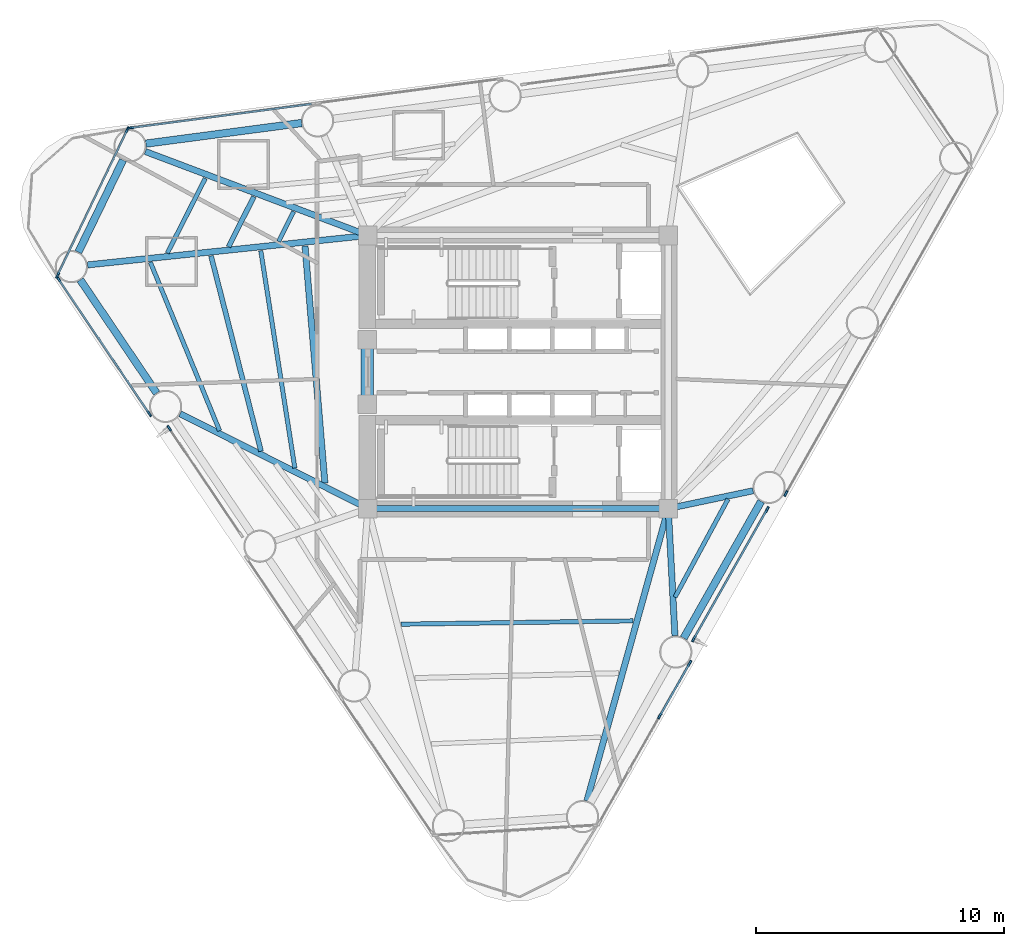
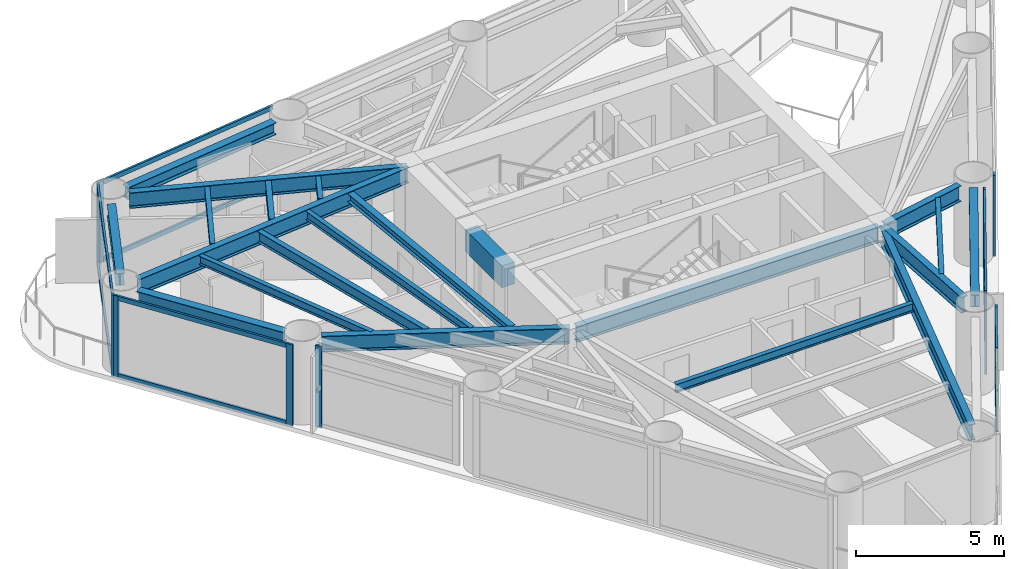
# One storey, part 2 of 9: 23 members, 21 beams, 7 elements without a shape of their own.
"""IFC4 building model written with IfcOpenShell, lengths in metres."""

import ifcopenshell
import ifcopenshell.guid

model = None  # the IFC model being written
_history = None  # IfcOwnerHistory: only IFC2X3 demands one
_inside = {}  # id of a spatial element -> (the spatial element, [elements in it])
_under = {}  # id of a project, library or spatial element -> (it, [spatial elements below it])
_declared = {}  # id of a project -> (the project, [libraries it declares])
_typed = {}  # id of a type object -> (the type object, [elements of that type])
_made_of = {}  # id of a material, layer set ... -> (it, [elements and type objects made of it])


def new_model(schema):
    """Start an empty IFC model of exactly this schema.

    Asked for "IFC4X3", IfcOpenShell would pick the latest addendum, in which some entities
    have other attributes; the version numbers below select the first issue.
    IFC2X3 requires an IfcOwnerHistory on every rooted entity: one is made here for all.
    """
    global model, _history
    if schema == "IFC4X3":
        model = ifcopenshell.file(schema_version=(4, 3, 0, 0))
    else:
        model = ifcopenshell.file(schema=schema)
    _inside.clear()
    _under.clear()
    _declared.clear()
    _typed.clear()
    _made_of.clear()
    _history = None
    if model.schema == "IFC2X3":
        org = make("IfcOrganization", Name="unknown")
        user = make(
            "IfcPersonAndOrganization",
            ThePerson=make("IfcPerson", FamilyName="unknown"),
            TheOrganization=org,
        )
        app = make(
            "IfcApplication",
            ApplicationDeveloper=org,
            Version="unknown",
            ApplicationFullName="unknown",
            ApplicationIdentifier="unknown",
        )
        _history = make(
            "IfcOwnerHistory",
            OwningUser=user,
            OwningApplication=app,
            ChangeAction="ADDED",
            CreationDate=0,
        )
    return model


def make(cls, **values):
    """One entity of the class cls with the attributes given. An attribute that is None is left unset."""
    return model.create_entity(
        cls, **{name: value for name, value in values.items() if value is not None}
    )


def rooted(cls, **values):
    """An entity with a GlobalId (a new one), such as an element, a storey or a relation."""
    return make(cls, GlobalId=ifcopenshell.guid.new(), OwnerHistory=_history, **values)


def si_unit(unit_type, name, prefix=None):
    """IfcSIUnit, for example si_unit("LENGTHUNIT", "METRE", prefix="MILLI")."""
    return make("IfcSIUnit", UnitType=unit_type, Prefix=prefix, Name=name)


def assignment(units):
    """IfcUnitAssignment: the units of a project."""
    return None if units is None else make("IfcUnitAssignment", Units=units)


def point(xyz):
    """IfcCartesianPoint."""
    return None if xyz is None else make("IfcCartesianPoint", Coordinates=xyz)


def direction(xyz):
    """IfcDirection."""
    return None if xyz is None else make("IfcDirection", DirectionRatios=xyz)


def frame(location, z_axis=None, x_axis=None):
    """IfcAxis2Placement3D, a coordinate frame: its origin and axes. An axis left out is left unset."""
    return make(
        "IfcAxis2Placement3D",
        Location=point(location),
        Axis=direction(z_axis),
        RefDirection=direction(x_axis),
    )


def frame_2d(location, x_axis=None):
    """IfcAxis2Placement2D, a coordinate frame in the plane: its origin and x axis."""
    return make(
        "IfcAxis2Placement2D", Location=point(location), RefDirection=direction(x_axis)
    )


def origin():
    """The frame at (0, 0, 0) with its axes left unset."""
    return frame((0.0, 0.0, 0.0))


def origin_2d():
    """The frame at (0, 0) in the plane with its x axis left unset."""
    return frame_2d((0.0, 0.0))


def place(relative_to, where):
    """IfcLocalPlacement: puts the frame where relative to a parent placement (None: the world)."""
    return make(
        "IfcLocalPlacement", PlacementRelTo=relative_to, RelativePlacement=where
    )


def context(
    kind, dimensions, precision=None, world=None, true_north=None, identifier=None
):
    """IfcGeometricRepresentationContext, for example the 3D "Model" context."""
    return make(
        "IfcGeometricRepresentationContext",
        ContextIdentifier=identifier,
        ContextType=kind,
        CoordinateSpaceDimension=dimensions,
        Precision=precision,
        WorldCoordinateSystem=world,
        TrueNorth=true_north,
    )


def subcontext(parent, identifier, kind, view, scale=None):
    """IfcGeometricRepresentationSubContext, for example "Body" below "Model"."""
    return make(
        "IfcGeometricRepresentationSubContext",
        ContextIdentifier=identifier,
        ContextType=kind,
        ParentContext=parent,
        TargetScale=scale,
        TargetView=view,
    )


def project(units=None, contexts=None):
    """IfcProject with its units and contexts."""
    return rooted(
        "IfcProject",
        Name="project",
        RepresentationContexts=contexts,
        UnitsInContext=assignment(units),
    )


def spatial(cls, under=None, at=None, **own):
    """A site, building, storey or space (cls), placed at a placement, below another one or the project."""
    s = rooted(cls, ObjectPlacement=at, **own)
    if under is not None:
        _under.setdefault(under.id(), (under, []))[1].append(s)
    return s


def profile(cls, at=None, kind="AREA", **sizes):
    """A parametric profile (cls). Its sizes go by their IFC names, for example OverallWidth=200.0."""
    return make(cls, ProfileType=kind, Position=at, **sizes)


def rectangle(**sizes):
    """IfcRectangleProfileDef."""
    return profile("IfcRectangleProfileDef", **sizes)


def i_section(**sizes):
    """IfcIShapeProfileDef."""
    return profile("IfcIShapeProfileDef", **sizes)


def extrude(swept, where, along, depth):
    """IfcExtrudedAreaSolid: the profile swept, set in the frame where, extruded along a direction by depth."""
    return make(
        "IfcExtrudedAreaSolid",
        SweptArea=swept,
        Position=where,
        ExtrudedDirection=direction(along),
        Depth=depth,
    )


def shape(context_of_items, identifier, shape_type, items):
    """IfcShapeRepresentation: the items that make up one representation, for example the "Body"."""
    return make(
        "IfcShapeRepresentation",
        ContextOfItems=context_of_items,
        RepresentationIdentifier=identifier,
        RepresentationType=shape_type,
        Items=items,
    )


def source(mapping_origin, context_of_items, identifier, shape_type, items):
    """IfcRepresentationMap: a shape defined once, which mapped items show again and again."""
    return make(
        "IfcRepresentationMap",
        MappingOrigin=mapping_origin,
        MappedRepresentation=shape(context_of_items, identifier, shape_type, items),
    )


def transform(
    local_origin,
    x_axis=None,
    y_axis=None,
    z_axis=None,
    scale=None,
    scale2=None,
    scale3=None,
    uniform=True,
):
    """IfcCartesianTransformationOperator3D, or its non-uniform kind. x_axis, y_axis, z_axis: its Axis1, 2, 3."""
    if uniform:
        return make(
            "IfcCartesianTransformationOperator3D",
            Axis1=direction(x_axis),
            Axis2=direction(y_axis),
            LocalOrigin=point(local_origin),
            Scale=scale,
            Axis3=direction(z_axis),
        )
    return make(
        "IfcCartesianTransformationOperator3DnonUniform",
        Axis1=direction(x_axis),
        Axis2=direction(y_axis),
        LocalOrigin=point(local_origin),
        Scale=scale,
        Axis3=direction(z_axis),
        Scale2=scale2,
        Scale3=scale3,
    )


def mapped(mapping_source, mapping_target):
    """IfcMappedItem: shows the shape of a source again, moved by a transform."""
    return make(
        "IfcMappedItem", MappingSource=mapping_source, MappingTarget=mapping_target
    )


def material(Name=None, Category=None):
    """IfcMaterial."""
    return make("IfcMaterial", Name=Name, Category=Category)


def layer(
    of_material, thickness, ventilated=None, Name=None, Category=None, Priority=None
):
    """IfcMaterialLayer: one layer of a wall or slab, of a material (None: an air gap)."""
    return make(
        "IfcMaterialLayer",
        Material=of_material,
        LayerThickness=thickness,
        IsVentilated=ventilated,
        Name=Name,
        Category=Category,
        Priority=Priority,
    )


def layer_set(layers, Name=None):
    """IfcMaterialLayerSet."""
    return make("IfcMaterialLayerSet", MaterialLayers=layers, LayerSetName=Name)


def material_profile(
    of_material, cross_section, Name=None, Category=None, Priority=None
):
    """IfcMaterialProfile: a cross section and its material."""
    return make(
        "IfcMaterialProfile",
        Name=Name,
        Material=of_material,
        Profile=cross_section,
        Priority=Priority,
        Category=Category,
    )


def profile_set(profiles, Name=None, composite=None):
    """IfcMaterialProfileSet."""
    return make(
        "IfcMaterialProfileSet",
        Name=Name,
        MaterialProfiles=profiles,
        CompositeProfile=composite,
    )


def made_of(thing, what):
    """Note that an element or type object is made of a material, layer set ...; save() writes the relation."""
    if what is not None:
        _made_of.setdefault(what.id(), (what, []))[1].append(thing)
    return thing


def type_object(cls, material=None, **own):
    """A type object (cls), such as IfcWallType, which elements share."""
    return made_of(rooted(cls, **own), material)


def element(
    cls,
    number,
    at=None,
    inside=None,
    cuts=None,
    type_object=None,
    material=None,
    context=None,
    identifier="Body",
    shape_type=None,
    held_by="IfcProductDefinitionShape",
    body=None,
    shapes=None,
    **own,
):
    """One element of the class cls, such as IfcWall. Its Tag is "e" and its number.

    at: its placement. inside: the storey or other place that contains it. cuts: it is an
    opening in that element (IfcRelVoidsElement). A single representation is given by context,
    identifier, shape_type and body (its items); several are given by shapes. held_by: the class
    of the entity that holds the representations. save() writes the other relations.
    """
    e = rooted(cls, Tag="e%d" % number, ObjectPlacement=at, **own)
    if body is not None:
        shapes = [shape(context, identifier, shape_type, body)]
    if shapes is not None:
        e.Representation = make(held_by, Representations=shapes)
    if inside is not None:
        _inside.setdefault(inside.id(), (inside, []))[1].append(e)
    if cuts is not None:
        rooted(
            "IfcRelVoidsElement", RelatingBuildingElement=cuts, RelatedOpeningElement=e
        )
    if type_object is not None:
        _typed.setdefault(type_object.id(), (type_object, []))[1].append(e)
    return made_of(e, material)


def aggregate(whole, parts):
    """IfcRelAggregates: a whole, such as a stair, and the parts it consists of."""
    return rooted("IfcRelAggregates", RelatingObject=whole, RelatedObjects=parts)


def save(model, path):
    """Write the relations noted so far, then the file.

    IfcRelAggregates (storeys below a building ...), IfcRelContainedInSpatialStructure (elements
    in a storey), IfcRelDefinesByType, IfcRelAssociatesMaterial and IfcRelDeclares: one each for
    every whole, place, type object, material and project.
    """
    for whole, parts in _under.values():
        aggregate(whole, parts)
    for where, things in _inside.values():
        rooted(
            "IfcRelContainedInSpatialStructure",
            RelatedElements=things,
            RelatingStructure=where,
        )
    for kind, things in _typed.values():
        rooted("IfcRelDefinesByType", RelatedObjects=things, RelatingType=kind)
    for what, things in _made_of.values():
        rooted("IfcRelAssociatesMaterial", RelatedObjects=things, RelatingMaterial=what)
    for by, libraries in _declared.values():
        rooted("IfcRelDeclares", RelatingContext=by, RelatedDefinitions=libraries)
    model.write(path)


model = new_model("IFC4")

# Units and contexts
model_context = context("Model", 3, precision=1e-05, world=origin(), true_north=direction((0.0, 1.0)))
body_context = subcontext(model_context, "Body", "Model", "MODEL_VIEW")
ifc_project = project(units=[si_unit("LENGTHUNIT", "METRE"), si_unit("AREAUNIT", "SQUARE_METRE"), si_unit("VOLUMEUNIT", "CUBIC_METRE"), si_unit("PLANEANGLEUNIT", "RADIAN"), si_unit("MASSUNIT", "GRAM", prefix="KILO")], contexts=[model_context])

# Site, building, storey
site_placement = place(None, origin())
site = spatial("IfcSite", under=ifc_project, at=site_placement, CompositionType="ELEMENT")
building_placement = place(site_placement, origin())
building = spatial("IfcBuilding", under=site, at=building_placement, Name="Yunling Apex Tower", CompositionType="ELEMENT")
storey_placement = place(building_placement, frame((0.0, 0.0, 172.550048828125)))
storey = spatial("IfcBuildingStorey", under=building, at=storey_placement, Name="L42", CompositionType="ELEMENT", Elevation=172.550048828125)

# Beams
ifc_material_1 = material(Name="Concrete C50", Category="concrete")
ifc_material_profile_1 = material_profile(ifc_material_1, rectangle(XDim=0.5, YDim=0.89990234375, at=origin_2d()))
ifc_profile_set_1 = profile_set([ifc_material_profile_1], Name="Concrete C50")
beam_type_1 = type_object("IfcBeamType", Name="BC-CPL-2", PredefinedType="BEAM", material=ifc_profile_set_1)
shared_shape_1 = source(origin(), body_context, "Body", "SweptSolid", [
    extrude(rectangle(XDim=0.5, YDim=0.89990234375, at=origin_2d()), origin(), (0.0, 0.0, 1.0), 2.5),
])
beam_1_placement = place(storey_placement, frame((-6.074951171875, -1.25, 2.820068359375), z_axis=(0.0, 1.0, 0.0), x_axis=(-1.0, 0.0, 0.0)))
element("IfcBeam", 1, at=beam_1_placement, inside=storey, type_object=beam_type_1, Name="L42 Core West Portal Coupling Beam", PredefinedType="BEAM", context=body_context, shape_type="MappedRepresentation", body=[
    mapped(shared_shape_1, transform((0.0, 0.0, 0.0), scale=1.0)),
])
ifc_material_2 = material(Name="Steel Q355B", Category="steel")
ifc_material_profile_2 = material_profile(ifc_material_2, i_section(OverallWidth=0.25, OverallDepth=0.64990234375, WebThickness=0.011962890625, FlangeThickness=0.02001953125, FilletRadius=0.02392578125, at=origin_2d()))
ifc_profile_set_2 = profile_set([ifc_material_profile_2], Name="Steel Q355B")
beam_type_2 = type_object("IfcBeamType", Name="BG-PRI-4", PredefinedType="USERDEFINED", material=ifc_profile_set_2)
shared_shape_2 = source(origin(), body_context, "Body", "SweptSolid", [
    extrude(i_section(OverallWidth=0.25, OverallDepth=0.64990234375, WebThickness=0.011962890625, FlangeThickness=0.02001953125, FilletRadius=0.02392578125, at=origin_2d()), origin(), (0.0, 0.0, 1.0), 11.7998046875),
])
beam_2_placement = place(storey_placement, frame((-5.89990234375, -5.5, 2.945068359375), z_axis=(1.0, 0.0, 0.0), x_axis=(0.0, 1.0, 0.0)))
element("IfcBeam", 2, at=beam_2_placement, inside=storey, type_object=beam_type_2, Name="L42 Core Ring Tie Beam 1", ObjectType="GIRDER", PredefinedType="USERDEFINED", context=body_context, shape_type="MappedRepresentation", body=[
    mapped(shared_shape_2, transform((0.0, 0.0, 0.0), scale=1.0)),
])
ifc_material_profile_3 = material_profile(ifc_material_2, i_section(OverallWidth=0.300048828125, OverallDepth=0.489990234375, WebThickness=0.010986328125, FlangeThickness=0.01806640625, FilletRadius=0.02197265625, at=origin_2d()))
ifc_profile_set_3 = profile_set([ifc_material_profile_3], Name="Steel Q355B")
beam_type_3 = type_object("IfcBeamType", Name="BP-SPN-2", PredefinedType="SPANDREL", material=ifc_profile_set_3)
shared_shape_3 = source(origin(), body_context, "Body", "SweptSolid", [
    extrude(i_section(OverallWidth=0.300048828125, OverallDepth=0.489990234375, WebThickness=0.010986328125, FlangeThickness=0.01806640625, FilletRadius=0.02197265625, at=origin_2d()), origin(), (0.0, 0.0, 1.0), 6.33251953125),
])
for number, where, z_axis, x_axis, name in (
    (3, (6.66943359375, -10.717529296875, 3.02490234375), (0.493030081742, 0.870012263418, 0.0), (-0.870012263418, 0.493030081742, 0.0), "L42 Perimeter Spandrel Beam 2"),
    (4, (-8.715576171875, 10.02978515625, 3.02490234375), (-0.991351373324, -0.131234349957, 0.0), (0.131234349957, -0.991351373324, 0.0), "L42 Perimeter Spandrel Beam 9"),
):
    element("IfcBeam", number, at=place(storey_placement, frame(where, z_axis=z_axis, x_axis=x_axis)), inside=storey, type_object=beam_type_3, Name=name, PredefinedType="SPANDREL", context=body_context, shape_type="MappedRepresentation", body=[
        mapped(shared_shape_3, transform((0.0, 0.0, 0.0), scale=1.0)),
    ])
shared_shape_4 = source(origin(), body_context, "Body", "SweptSolid", [
    extrude(i_section(OverallWidth=0.300048828125, OverallDepth=0.489990234375, WebThickness=0.010986328125, FlangeThickness=0.01806640625, FilletRadius=0.02197265625, at=origin_2d()), origin(), (0.0, 0.0, 1.0), 4.1240234375),
])
beam_3_placement = place(storey_placement, frame((-15.9130859375, 8.534912109375, 3.02490234375), z_axis=(-0.436645295051, -0.899633751206, 0.0), x_axis=(0.899633751206, -0.436645295051, 0.0)))
element("IfcBeam", 5, at=beam_3_placement, inside=storey, type_object=beam_type_3, Name="L42 Perimeter Spandrel Beam 10", PredefinedType="SPANDREL", context=body_context, shape_type="MappedRepresentation", body=[
    mapped(shared_shape_4, transform((0.0, 0.0, 0.0), scale=1.0)),
])
shared_shape_5 = source(origin(), body_context, "Body", "SweptSolid", [
    extrude(i_section(OverallWidth=0.300048828125, OverallDepth=0.489990234375, WebThickness=0.010986328125, FlangeThickness=0.01806640625, FilletRadius=0.02197265625, at=origin_2d()), origin(), (0.0, 0.0, 1.0), 5.5029296875),
])
beam_4_placement = place(storey_placement, frame((-17.635009765625, 3.711181640625, 3.02490234375), z_axis=(0.559227477119, -0.829014251286, 0.0), x_axis=(0.829014251286, 0.559227477119, 0.0)))
element("IfcBeam", 6, at=beam_4_placement, inside=storey, type_object=beam_type_3, Name="L42 Perimeter Spandrel Beam 11", PredefinedType="SPANDREL", context=body_context, shape_type="MappedRepresentation", body=[
    mapped(shared_shape_5, transform((0.0, 0.0, 0.0), scale=1.0)),
])
shared_shape_6 = source(origin(), body_context, "Body", "SweptSolid", [
    extrude(i_section(OverallWidth=0.25, OverallDepth=0.64990234375, WebThickness=0.011962890625, FlangeThickness=0.02001953125, FilletRadius=0.02392578125, at=origin_2d()), origin(), (0.0, 0.0, 1.0), 12.141845703125),
])
beam_5_placement = place(storey_placement, frame((2.771240234375, -17.27392578125, 2.945068359375), z_axis=(0.268272262363, 0.9633431337, 0.0), x_axis=(-0.9633431337, 0.268272262363, 0.0)))
element("IfcBeam", 7, at=beam_5_placement, inside=storey, type_object=beam_type_2, Name="L42 Radial Primary Girder R01", ObjectType="GIRDER", PredefinedType="USERDEFINED", context=body_context, shape_type="MappedRepresentation", body=[
    mapped(shared_shape_6, transform((0.0, 0.0, 0.0), scale=1.0)),
])
shared_shape_7 = source(origin(), body_context, "Body", "SweptSolid", [
    extrude(i_section(OverallWidth=0.25, OverallDepth=0.64990234375, WebThickness=0.011962890625, FlangeThickness=0.02001953125, FilletRadius=0.02392578125, at=origin_2d()), origin(), (0.0, 0.0, 1.0), 5.0478515625),
])
beam_6_placement = place(storey_placement, frame((6.317626953125, -10.620849609375, 2.945068359375), z_axis=(-0.052185671931, 0.998637399482, 0.0), x_axis=(-0.998637399482, -0.052185671931, 0.0)))
element("IfcBeam", 8, at=beam_6_placement, inside=storey, type_object=beam_type_2, Name="L42 Radial Primary Girder R02", ObjectType="GIRDER", PredefinedType="USERDEFINED", context=body_context, shape_type="MappedRepresentation", body=[
    mapped(shared_shape_7, transform((0.0, 0.0, 0.0), scale=1.0)),
])
shared_shape_8 = source(origin(), body_context, "Body", "SweptSolid", [
    extrude(i_section(OverallWidth=0.25, OverallDepth=0.64990234375, WebThickness=0.011962890625, FlangeThickness=0.02001953125, FilletRadius=0.02392578125, at=origin_2d()), origin(), (0.0, 0.0, 1.0), 3.409423828125),
])
beam_7_placement = place(storey_placement, frame((9.465087890625, -4.783203125, 2.945068359375), z_axis=(-0.978668904593, -0.205443849219, 0.0), x_axis=(0.205443849219, -0.978668904593, 0.0)))
element("IfcBeam", 9, at=beam_7_placement, inside=storey, type_object=beam_type_2, Name="L42 Radial Primary Girder R03", ObjectType="GIRDER", PredefinedType="USERDEFINED", context=body_context, shape_type="MappedRepresentation", body=[
    mapped(shared_shape_8, transform((0.0, 0.0, 0.0), scale=1.0)),
])
shared_shape_9 = source(origin(), body_context, "Body", "SweptSolid", [
    extrude(i_section(OverallWidth=0.25, OverallDepth=0.64990234375, WebThickness=0.011962890625, FlangeThickness=0.02001953125, FilletRadius=0.02392578125, at=origin_2d()), origin(), (0.0, 0.0, 1.0), 9.502685546875),
])
beam_8_placement = place(storey_placement, frame((-15.01611328125, 8.882080078125, 2.945068359375), z_axis=(0.935649587533, -0.352930374648, 0.0), x_axis=(0.352930374648, 0.935649587533, 0.0)))
element("IfcBeam", 10, at=beam_8_placement, inside=storey, type_object=beam_type_2, Name="L42 Radial Primary Girder R10", ObjectType="GIRDER", PredefinedType="USERDEFINED", context=body_context, shape_type="MappedRepresentation", body=[
    mapped(shared_shape_9, transform((0.0, 0.0, 0.0), scale=1.0)),
])
shared_shape_10 = source(origin(), body_context, "Body", "SweptSolid", [
    extrude(i_section(OverallWidth=0.25, OverallDepth=0.64990234375, WebThickness=0.011962890625, FlangeThickness=0.02001953125, FilletRadius=0.02392578125, at=origin_2d()), origin(), (0.0, 0.0, 1.0), 11.272705078125),
])
beam_9_placement = place(storey_placement, frame((-17.340576171875, 4.31396484375, 2.945068359375), z_axis=(0.99452726712, 0.104477341825, 0.0), x_axis=(-0.104477341825, 0.99452726712, 0.0)))
element("IfcBeam", 11, at=beam_9_placement, inside=storey, type_object=beam_type_2, Name="L42 Radial Primary Girder R11", ObjectType="GIRDER", PredefinedType="USERDEFINED", context=body_context, shape_type="MappedRepresentation", body=[
    mapped(shared_shape_10, transform((0.0, 0.0, 0.0), scale=1.0)),
])
shared_shape_11 = source(origin(), body_context, "Body", "SweptSolid", [
    extrude(i_section(OverallWidth=0.25, OverallDepth=0.64990234375, WebThickness=0.011962890625, FlangeThickness=0.02001953125, FilletRadius=0.02392578125, at=origin_2d()), origin(), (0.0, 0.0, 1.0), 8.389892578125),
])
beam_10_placement = place(storey_placement, frame((-13.610107421875, -1.681396484375, 2.945068359375), z_axis=(0.892603997322, -0.450841550841, 0.0), x_axis=(0.450841550841, 0.892603997322, 0.0)))
element("IfcBeam", 12, at=beam_10_placement, inside=storey, type_object=beam_type_2, Name="L42 Radial Primary Girder R12", ObjectType="GIRDER", PredefinedType="USERDEFINED", context=body_context, shape_type="MappedRepresentation", body=[
    mapped(shared_shape_11, transform((0.0, 0.0, 0.0), scale=1.0)),
])
ifc_material_profile_4 = material_profile(ifc_material_2, i_section(OverallWidth=0.175048828125, OverallDepth=0.35009765625, WebThickness=0.007080078125, FlangeThickness=0.010986328125, FilletRadius=0.013916015625, at=origin_2d()))
ifc_profile_set_4 = profile_set([ifc_material_profile_4], Name="Steel Q355B")
beam_type_4 = type_object("IfcBeamType", Name="BJ-JST-1", PredefinedType="JOIST", material=ifc_profile_set_4)
shared_shape_12 = source(origin(), body_context, "Body", "SweptSolid", [
    extrude(i_section(OverallWidth=0.175048828125, OverallDepth=0.35009765625, WebThickness=0.007080078125, FlangeThickness=0.010986328125, FilletRadius=0.013916015625, at=origin_2d()), origin(), (0.0, 0.0, 1.0), 4.488525390625),
])
beam_11_placement = place(storey_placement, frame((6.31982421875, -9.068603515625, 3.094970703125), z_axis=(0.475594391265, 0.87966469464, 0.0), x_axis=(-0.87966469464, 0.475594391265, 0.0)))
element("IfcBeam", 13, at=beam_11_placement, inside=storey, type_object=beam_type_4, Name="L42 Composite Floor Joist BJ1-2", PredefinedType="JOIST", context=body_context, shape_type="MappedRepresentation", body=[
    mapped(shared_shape_12, transform((0.0, 0.0, 0.0), scale=1.0)),
])
ifc_material_profile_5 = material_profile(ifc_material_2, i_section(OverallWidth=0.199951171875, OverallDepth=0.449951171875, WebThickness=0.009033203125, FlangeThickness=0.013916015625, FilletRadius=0.01806640625, at=origin_2d()))
ifc_profile_set_5 = profile_set([ifc_material_profile_5], Name="Steel Q355B")
beam_type_5 = type_object("IfcBeamType", Name="BS-SEC-3", PredefinedType="BEAM", material=ifc_profile_set_5)
shared_shape_13 = source(origin(), body_context, "Body", "SweptSolid", [
    extrude(i_section(OverallWidth=0.199951171875, OverallDepth=0.449951171875, WebThickness=0.009033203125, FlangeThickness=0.013916015625, FilletRadius=0.01806640625, at=origin_2d()), origin(), (0.0, 0.0, 1.0), 2.260498046875),
])
beam_12_placement = place(storey_placement, frame((-10.642578125, 7.0625, 3.044921875), z_axis=(-0.451356210078, -0.892343864003, 0.0), x_axis=(0.892343864003, -0.451356210078, 0.0)))
element("IfcBeam", 14, at=beam_12_placement, inside=storey, type_object=beam_type_5, Name="L42 Composite Floor Beam BS-10", PredefinedType="BEAM", context=body_context, shape_type="MappedRepresentation", body=[
    mapped(shared_shape_13, transform((0.0, 0.0, 0.0), scale=1.0)),
])
shared_shape_14 = source(origin(), body_context, "Body", "SweptSolid", [
    extrude(i_section(OverallWidth=0.175048828125, OverallDepth=0.35009765625, WebThickness=0.007080078125, FlangeThickness=0.010986328125, FilletRadius=0.013916015625, at=origin_2d()), origin(), (0.0, 0.0, 1.0), 3.380126953125),
])
beam_13_placement = place(storey_placement, frame((-12.59912109375, 7.80029296875, 3.094970703125), z_axis=(-0.452665854376, -0.891680225351, 0.0), x_axis=(0.891680225351, -0.452665854376, 0.0)))
element("IfcBeam", 15, at=beam_13_placement, inside=storey, type_object=beam_type_4, Name="L42 Composite Floor Joist BJ1-10", PredefinedType="JOIST", context=body_context, shape_type="MappedRepresentation", body=[
    mapped(shared_shape_14, transform((0.0, 0.0, 0.0), scale=1.0)),
])
shared_shape_15 = source(origin(), body_context, "Body", "SweptSolid", [
    extrude(i_section(OverallWidth=0.175048828125, OverallDepth=0.35009765625, WebThickness=0.007080078125, FlangeThickness=0.010986328125, FilletRadius=0.013916015625, at=origin_2d()), origin(), (0.0, 0.0, 1.0), 1.34375),
])
beam_14_placement = place(storey_placement, frame((-9.0419921875, 6.45849609375, 3.094970703125), z_axis=(-0.448956972961, -0.893553376374, 0.0), x_axis=(0.893553376374, -0.448956972961, 0.0)))
element("IfcBeam", 16, at=beam_14_placement, inside=storey, type_object=beam_type_4, Name="L42 Composite Floor Joist BJ3-10", PredefinedType="JOIST", context=body_context, shape_type="MappedRepresentation", body=[
    mapped(shared_shape_15, transform((0.0, 0.0, 0.0), scale=1.0)),
])
shared_shape_16 = source(origin(), body_context, "Body", "SweptSolid", [
    extrude(i_section(OverallWidth=0.199951171875, OverallDepth=0.449951171875, WebThickness=0.009033203125, FlangeThickness=0.013916015625, FilletRadius=0.01806640625, at=origin_2d()), origin(), (0.0, 0.0, 1.0), 8.121337890625),
])
beam_15_placement = place(storey_placement, frame((-12.3681640625, 4.677001953125, 3.044921875), z_axis=(0.247914612688, -0.968781887122, 0.0), x_axis=(0.968781887122, 0.247914612688, 0.0)))
element("IfcBeam", 17, at=beam_15_placement, inside=storey, type_object=beam_type_5, Name="L42 Composite Floor Beam BS-11", PredefinedType="BEAM", context=body_context, shape_type="MappedRepresentation", body=[
    mapped(shared_shape_16, transform((0.0, 0.0, 0.0), scale=1.0)),
])
shared_shape_17 = source(origin(), body_context, "Body", "SweptSolid", [
    extrude(i_section(OverallWidth=0.175048828125, OverallDepth=0.35009765625, WebThickness=0.007080078125, FlangeThickness=0.010986328125, FilletRadius=0.013916015625, at=origin_2d()), origin(), (0.0, 0.0, 1.0), 7.34130859375),
])
beam_16_placement = place(storey_placement, frame((-14.8134765625, 4.425048828125, 3.094970703125), z_axis=(0.380043851262, -0.924968470337, 0.0), x_axis=(0.924968470337, 0.380043851262, 0.0)))
element("IfcBeam", 18, at=beam_16_placement, inside=storey, type_object=beam_type_4, Name="L42 Composite Floor Joist BJ1-11", PredefinedType="JOIST", context=body_context, shape_type="MappedRepresentation", body=[
    mapped(shared_shape_17, transform((0.0, 0.0, 0.0), scale=1.0)),
])
shared_shape_18 = source(origin(), body_context, "Body", "SweptSolid", [
    extrude(i_section(OverallWidth=0.175048828125, OverallDepth=0.35009765625, WebThickness=0.007080078125, FlangeThickness=0.010986328125, FilletRadius=0.013916015625, at=origin_2d()), origin(), (0.0, 0.0, 1.0), 8.861328125),
])
beam_17_placement = place(storey_placement, frame((-10.364990234375, 4.885986328125, 3.094970703125), z_axis=(0.154946679134, -0.987922834348, 0.0), x_axis=(0.987922834348, 0.154946679134, 0.0)))
element("IfcBeam", 19, at=beam_17_placement, inside=storey, type_object=beam_type_4, Name="L42 Composite Floor Joist BJ3-11", PredefinedType="JOIST", context=body_context, shape_type="MappedRepresentation", body=[
    mapped(shared_shape_18, transform((0.0, 0.0, 0.0), scale=1.0)),
])
ifc_material_profile_6 = material_profile(ifc_material_2, i_section(OverallWidth=0.25, OverallDepth=0.340087890625, WebThickness=0.009033203125, FlangeThickness=0.013916015625, FilletRadius=0.01806640625, at=origin_2d()))
ifc_profile_set_6 = profile_set([ifc_material_profile_6], Name="Steel Q355B")
beam_type_6 = type_object("IfcBeamType", Name="BJ-JST-2", PredefinedType="JOIST", material=ifc_profile_set_6)
shared_shape_19 = source(origin(), body_context, "Body", "SweptSolid", [
    extrude(i_section(OverallWidth=0.25, OverallDepth=0.340087890625, WebThickness=0.009033203125, FlangeThickness=0.013916015625, FilletRadius=0.01806640625, at=origin_2d()), origin(), (0.0, 0.0, 1.0), 9.578857421875),
])
beam_18_placement = place(storey_placement, frame((-8.582763671875, 5.072998046875, 3.099853515625), z_axis=(0.083572791263, -0.996501675142, 0.0), x_axis=(0.996501675142, 0.083572791263, 0.0)))
element("IfcBeam", 20, at=beam_18_placement, inside=storey, type_object=beam_type_6, Name="L42 Composite Floor Joist BJ2-11", PredefinedType="JOIST", context=body_context, shape_type="MappedRepresentation", body=[
    mapped(shared_shape_19, transform((0.0, 0.0, 0.0), scale=1.0)),
])
shared_shape_20 = source(origin(), body_context, "Body", "SweptSolid", [
    extrude(i_section(OverallWidth=0.175048828125, OverallDepth=0.35009765625, WebThickness=0.007080078125, FlangeThickness=0.010986328125, FilletRadius=0.013916015625, at=origin_2d()), origin(), (0.0, 0.0, 1.0), 9.337890625),
])
beam_19_placement = place(storey_placement, frame((-4.706298828125, -10.157958984375, 3.094970703125), z_axis=(0.99989735504, 0.014327574275, 0.0), x_axis=(-0.014327574275, 0.99989735504, 0.0)))
element("IfcBeam", 21, at=beam_19_placement, inside=storey, type_object=beam_type_4, Name="L42 Composite Floor Joist BJ3-15", PredefinedType="JOIST", context=body_context, shape_type="MappedRepresentation", body=[
    mapped(shared_shape_20, transform((0.0, 0.0, 0.0), scale=1.0)),
])

# Curtain wall, members
ifc_material_3 = material(Name="Bronze anodised aluminium", Category="aluminium")
ifc_layer = layer(ifc_material_3, 0.239990234375)
ifc_layer_set = layer_set([ifc_layer], Name="Bronze anodised aluminium")
curtain_wall_type = type_object("IfcCurtainWallType", Name="CW-SYS-3", PredefinedType="NOTDEFINED", material=ifc_layer_set)
curtain_wall_1_placement = place(storey_placement, origin())
curtain_wall_1 = element("IfcCurtainWall", 22, at=curtain_wall_1_placement, inside=storey, type_object=curtain_wall_type, Name="CW-L42-F1-B1", PredefinedType="NOTDEFINED")
ifc_material_profile_7 = material_profile(ifc_material_3, rectangle(XDim=0.080078125, YDim=0.239990234375, at=origin_2d()))
ifc_profile_set_7 = profile_set([ifc_material_profile_7], Name="Bronze anodised aluminium")
member_type_1 = type_object("IfcMemberType", Name="CW-MUL-3", PredefinedType="MULLION", material=ifc_profile_set_7)
shared_shape_21 = source(origin(), body_context, "Body", "SweptSolid", [
    extrude(rectangle(XDim=0.080078125, YDim=0.239990234375, at=origin_2d()), origin(), (0.0, 0.0, 1.0), 3.3701171875),
])
member_1_placement = place(storey_placement, frame((5.7041015625, -13.861083984375, -0.050048828125), z_axis=(0.0, 0.0, 1.0), x_axis=(-0.870006087438, 0.493040979859, 0.0)))
member_1 = element("IfcMember", 23, at=member_1_placement, type_object=member_type_1, Name="CW-SYS-3 mullion 3", PredefinedType="MULLION", context=body_context, shape_type="MappedRepresentation", body=[
    mapped(shared_shape_21, transform((0.0, 0.0, 0.0), scale=1.0)),
])
member_2_placement = place(storey_placement, frame((6.910400390625, -11.732421875, -0.050048828125), z_axis=(0.0, 0.0, 1.0), x_axis=(-0.870006087438, 0.493040979859, 0.0)))
member_2 = element("IfcMember", 24, at=member_2_placement, type_object=member_type_1, Name="CW-SYS-3 mullion 4", PredefinedType="MULLION", context=body_context, shape_type="MappedRepresentation", body=[
    mapped(shared_shape_21, transform((0.0, 0.0, 0.0), scale=1.0)),
])

curtain_wall_2_placement = place(storey_placement, origin())
curtain_wall_2 = element("IfcCurtainWall", 25, at=curtain_wall_2_placement, inside=storey, type_object=curtain_wall_type, Name="CW-L42-F1-B2", PredefinedType="NOTDEFINED")
member_3_placement = place(storey_placement, frame((7.0732421875, -10.755615234375, -0.050048828125), z_axis=(0.0, 0.0, 1.0), x_axis=(-0.87000266867, 0.493047012471, 0.0)))
member_3 = element("IfcMember", 26, at=member_3_placement, type_object=member_type_1, Name="CW-SYS-3 mullion 1", PredefinedType="MULLION", context=body_context, shape_type="MappedRepresentation", body=[
    mapped(shared_shape_21, transform((0.0, 0.0, 0.0), scale=1.0)),
])
member_4_placement = place(storey_placement, frame((10.03173828125, -5.53515625, -0.050048828125), z_axis=(0.0, 0.0, 1.0), x_axis=(-0.87000266867, 0.493047012471, 0.0)))
member_4 = element("IfcMember", 27, at=member_4_placement, type_object=member_type_1, Name="CW-SYS-3 mullion 2", PredefinedType="MULLION", context=body_context, shape_type="MappedRepresentation", body=[
    mapped(shared_shape_21, transform((0.0, 0.0, 0.0), scale=1.0)),
])

# Curtain wall, member
curtain_wall_3_placement = place(storey_placement, origin())
curtain_wall_3 = element("IfcCurtainWall", 28, at=curtain_wall_3_placement, inside=storey, type_object=curtain_wall_type, Name="CW-L42-F1-B3", PredefinedType="NOTDEFINED")
member_5_placement = place(storey_placement, frame((10.785888671875, -4.8935546875, -0.050048828125), z_axis=(0.0, 0.0, 1.0), x_axis=(-0.870009345679, 0.493035230416, 0.0)))
member_5 = element("IfcMember", 29, at=member_5_placement, type_object=member_type_1, Name="CW-SYS-3 mullion 1", PredefinedType="MULLION", context=body_context, shape_type="MappedRepresentation", body=[
    mapped(shared_shape_21, transform((0.0, 0.0, 0.0), scale=1.0)),
])
aggregate(curtain_wall_3, [member_5])

curtain_wall_4_placement = place(storey_placement, origin())
curtain_wall_4 = element("IfcCurtainWall", 30, at=curtain_wall_4_placement, inside=storey, type_object=curtain_wall_type, Name="CW-L42-F2-B4", PredefinedType="NOTDEFINED")
member_6_placement = place(storey_placement, frame((-15.60595703125, 9.833740234375, -0.050048828125), z_axis=(0.0, 0.0, 1.0), x_axis=(0.131222473138, -0.991352945496, 0.0)))
member_6 = element("IfcMember", 31, at=member_6_placement, type_object=member_type_1, Name="CW-SYS-3 mullion 2", PredefinedType="MULLION", context=body_context, shape_type="MappedRepresentation", body=[
    mapped(shared_shape_21, transform((0.0, 0.0, 0.0), scale=1.0)),
])

# Curtain wall, members
curtain_wall_5_placement = place(storey_placement, origin())
curtain_wall_5 = element("IfcCurtainWall", 32, at=curtain_wall_5_placement, inside=storey, type_object=curtain_wall_type, Name="CW-L42-CRN2", PredefinedType="NOTDEFINED")
member_7_placement = place(storey_placement, frame((-15.73974609375, 9.76220703125, -0.050048828125), z_axis=(0.0, 0.0, 1.0), x_axis=(0.901876554496, -0.431993843071, 0.0)))
member_7 = element("IfcMember", 33, at=member_7_placement, type_object=member_type_1, Name="CW-SYS-3 mullion 1", PredefinedType="MULLION", context=body_context, shape_type="MappedRepresentation", body=[
    mapped(shared_shape_21, transform((0.0, 0.0, 0.0), scale=1.0)),
])
member_8_placement = place(storey_placement, frame((-18.5498046875, 3.8955078125, -0.050048828125), z_axis=(0.0, 0.0, 1.0), x_axis=(0.901876554496, -0.431993843071, 0.0)))
member_8 = element("IfcMember", 34, at=member_8_placement, type_object=member_type_1, Name="CW-SYS-3 mullion 2", PredefinedType="MULLION", context=body_context, shape_type="MappedRepresentation", body=[
    mapped(shared_shape_21, transform((0.0, 0.0, 0.0), scale=1.0)),
])

curtain_wall_6_placement = place(storey_placement, origin())
curtain_wall_6 = element("IfcCurtainWall", 35, at=curtain_wall_6_placement, inside=storey, type_object=curtain_wall_type, Name="CW-L42-F3-B1", PredefinedType="NOTDEFINED")
member_9_placement = place(storey_placement, frame((-18.5166015625, 3.748779296875, -0.050048828125), z_axis=(0.0, 0.0, 1.0), x_axis=(0.829045302692, 0.559181442901, 0.0)))
member_9 = element("IfcMember", 36, at=member_9_placement, type_object=member_type_1, Name="CW-SYS-3 mullion 1", PredefinedType="MULLION", context=body_context, shape_type="MappedRepresentation", body=[
    mapped(shared_shape_21, transform((0.0, 0.0, 0.0), scale=1.0)),
])
member_10_placement = place(storey_placement, frame((-14.853271484375, -1.682373046875, -0.050048828125), z_axis=(0.0, 0.0, 1.0), x_axis=(0.829045302692, 0.559181442901, 0.0)))
member_10 = element("IfcMember", 37, at=member_10_placement, type_object=member_type_1, Name="CW-SYS-3 mullion 2", PredefinedType="MULLION", context=body_context, shape_type="MappedRepresentation", body=[
    mapped(shared_shape_21, transform((0.0, 0.0, 0.0), scale=1.0)),
])

# Curtain wall, member
curtain_wall_7_placement = place(storey_placement, origin())
curtain_wall_7 = element("IfcCurtainWall", 38, at=curtain_wall_7_placement, inside=storey, type_object=curtain_wall_type, Name="CW-L42-F3-B2", PredefinedType="NOTDEFINED")
member_11_placement = place(storey_placement, frame((-14.05126953125, -2.263427734375, -0.050048828125), z_axis=(0.0, 0.0, 1.0), x_axis=(0.829026137089, 0.559209856873, 0.0)))
member_11 = element("IfcMember", 39, at=member_11_placement, type_object=member_type_1, Name="CW-SYS-3 mullion 1", PredefinedType="MULLION", context=body_context, shape_type="MappedRepresentation", body=[
    mapped(shared_shape_21, transform((0.0, 0.0, 0.0), scale=1.0)),
])
aggregate(curtain_wall_7, [member_11])

# Member
ifc_material_profile_8 = material_profile(ifc_material_3, rectangle(XDim=0.080078125, YDim=0.18505859375, at=origin_2d()))
ifc_profile_set_8 = profile_set([ifc_material_profile_8], Name="Bronze anodised aluminium")
member_type_2 = type_object("IfcMemberType", Name="CW-TRN-3", PredefinedType="USERDEFINED", material=ifc_profile_set_8)
shared_shape_22 = source(origin(), body_context, "Body", "SweptSolid", [
    extrude(rectangle(XDim=0.080078125, YDim=0.18505859375, at=origin_2d()), origin(), (0.0, 0.0, 1.0), 2.374755859375),
])
member_12_placement = place(storey_placement, frame((5.721923828125, -13.829833984375, 0.0400390625), z_axis=(0.493035916127, 0.870008957085, 0.0), x_axis=(-0.870008957085, 0.493035916127, 0.0)))
member_12 = element("IfcMember", 40, at=member_12_placement, type_object=member_type_2, Name="CW-SYS-3 transom 3.1", ObjectType="TRANSOM", PredefinedType="USERDEFINED", context=body_context, shape_type="MappedRepresentation", body=[
    mapped(shared_shape_22, transform((0.0, 0.0, 0.0), scale=1.0)),
])

member_13_placement = place(storey_placement, frame((5.721923828125, -13.829833984375, 2.485107421875), z_axis=(0.493035916127, 0.870008957085, 0.0), x_axis=(-0.870008957085, 0.493035916127, 0.0)))
member_13 = element("IfcMember", 41, at=member_13_placement, type_object=member_type_2, Name="CW-SYS-3 transom 3.2", ObjectType="TRANSOM", PredefinedType="USERDEFINED", context=body_context, shape_type="MappedRepresentation", body=[
    mapped(shared_shape_22, transform((0.0, 0.0, 0.0), scale=1.0)),
])

member_14_placement = place(storey_placement, frame((5.721923828125, -13.829833984375, 3.22998046875), z_axis=(0.493035916127, 0.870008957085, 0.0), x_axis=(-0.870008957085, 0.493035916127, 0.0)))
member_14 = element("IfcMember", 42, at=member_14_placement, type_object=member_type_2, Name="CW-SYS-3 transom 3.3", ObjectType="TRANSOM", PredefinedType="USERDEFINED", context=body_context, shape_type="MappedRepresentation", body=[
    mapped(shared_shape_22, transform((0.0, 0.0, 0.0), scale=1.0)),
])

aggregate(curtain_wall_1, [member_1, member_2, member_12, member_13, member_14])

shared_shape_23 = source(origin(), body_context, "Body", "SweptSolid", [
    extrude(rectangle(XDim=0.080078125, YDim=0.18505859375, at=origin_2d()), origin(), (0.0, 0.0, 1.0), 5.9287109375),
])
member_15_placement = place(storey_placement, frame((7.0908203125, -10.724365234375, 0.0400390625), z_axis=(0.49304478118, 0.870003933182, 0.0), x_axis=(-0.870003933182, 0.49304478118, 0.0)))
member_15 = element("IfcMember", 43, at=member_15_placement, type_object=member_type_2, Name="CW-SYS-3 transom 1.1", ObjectType="TRANSOM", PredefinedType="USERDEFINED", context=body_context, shape_type="MappedRepresentation", body=[
    mapped(shared_shape_23, transform((0.0, 0.0, 0.0), scale=1.0)),
])

member_16_placement = place(storey_placement, frame((7.0908203125, -10.724365234375, 2.485107421875), z_axis=(0.49304478118, 0.870003933182, 0.0), x_axis=(-0.870003933182, 0.49304478118, 0.0)))
member_16 = element("IfcMember", 44, at=member_16_placement, type_object=member_type_2, Name="CW-SYS-3 transom 1.2", ObjectType="TRANSOM", PredefinedType="USERDEFINED", context=body_context, shape_type="MappedRepresentation", body=[
    mapped(shared_shape_23, transform((0.0, 0.0, 0.0), scale=1.0)),
])

member_17_placement = place(storey_placement, frame((7.0908203125, -10.724365234375, 3.22998046875), z_axis=(0.49304478118, 0.870003933182, 0.0), x_axis=(-0.870003933182, 0.49304478118, 0.0)))
member_17 = element("IfcMember", 45, at=member_17_placement, type_object=member_type_2, Name="CW-SYS-3 transom 1.3", ObjectType="TRANSOM", PredefinedType="USERDEFINED", context=body_context, shape_type="MappedRepresentation", body=[
    mapped(shared_shape_23, transform((0.0, 0.0, 0.0), scale=1.0)),
])

aggregate(curtain_wall_2, [member_3, member_4, member_15, member_16, member_17])

shared_shape_24 = source(origin(), body_context, "Body", "SweptSolid", [
    extrude(rectangle(XDim=0.080078125, YDim=0.18505859375, at=origin_2d()), origin(), (0.0, 0.0, 1.0), 7.30859375),
])
member_18_placement = place(storey_placement, frame((-8.324951171875, 10.797607421875, 0.0400390625), z_axis=(-0.991354063091, -0.131214029714, 0.0), x_axis=(0.131214029714, -0.991354063091, 0.0)))
member_18 = element("IfcMember", 46, at=member_18_placement, type_object=member_type_2, Name="CW-SYS-3 transom 1.1", ObjectType="TRANSOM", PredefinedType="USERDEFINED", context=body_context, shape_type="MappedRepresentation", body=[
    mapped(shared_shape_24, transform((0.0, 0.0, 0.0), scale=1.0)),
])

member_19_placement = place(storey_placement, frame((-8.324951171875, 10.797607421875, 3.22998046875), z_axis=(-0.991354063091, -0.131214029714, 0.0), x_axis=(0.131214029714, -0.991354063091, 0.0)))
member_19 = element("IfcMember", 47, at=member_19_placement, type_object=member_type_2, Name="CW-SYS-3 transom 1.2", ObjectType="TRANSOM", PredefinedType="USERDEFINED", context=body_context, shape_type="MappedRepresentation", body=[
    mapped(shared_shape_24, transform((0.0, 0.0, 0.0), scale=1.0)),
])

aggregate(curtain_wall_4, [member_6, member_18, member_19])

shared_shape_25 = source(origin(), body_context, "Body", "SweptSolid", [
    extrude(rectangle(XDim=0.080078125, YDim=0.18505859375, at=origin_2d()), origin(), (0.0, 0.0, 1.0), 6.43310546875),
])
member_20_placement = place(storey_placement, frame((-15.755126953125, 9.729736328125, 0.0400390625), z_axis=(-0.431999289768, -0.901873945538, 0.0), x_axis=(0.901873945538, -0.431999289768, 0.0)))
member_20 = element("IfcMember", 48, at=member_20_placement, type_object=member_type_2, Name="CW-SYS-3 transom 1.1", ObjectType="TRANSOM", PredefinedType="USERDEFINED", context=body_context, shape_type="MappedRepresentation", body=[
    mapped(shared_shape_25, transform((0.0, 0.0, 0.0), scale=1.0)),
])

member_21_placement = place(storey_placement, frame((-15.755126953125, 9.729736328125, 3.22998046875), z_axis=(-0.431999289768, -0.901873945538, 0.0), x_axis=(0.901873945538, -0.431999289768, 0.0)))
member_21 = element("IfcMember", 49, at=member_21_placement, type_object=member_type_2, Name="CW-SYS-3 transom 1.2", ObjectType="TRANSOM", PredefinedType="USERDEFINED", context=body_context, shape_type="MappedRepresentation", body=[
    mapped(shared_shape_25, transform((0.0, 0.0, 0.0), scale=1.0)),
])

aggregate(curtain_wall_5, [member_7, member_8, member_20, member_21])

shared_shape_26 = source(origin(), body_context, "Body", "SweptSolid", [
    extrude(rectangle(XDim=0.080078125, YDim=0.18505859375, at=origin_2d()), origin(), (0.0, 0.0, 1.0), 6.479248046875),
])
member_22_placement = place(storey_placement, frame((-18.496337890625, 3.718994140625, 0.0400390625), z_axis=(0.559179012054, -0.829046942265, 0.0), x_axis=(0.829046942265, 0.559179012054, 0.0)))
member_22 = element("IfcMember", 50, at=member_22_placement, type_object=member_type_2, Name="CW-SYS-3 transom 1.1", ObjectType="TRANSOM", PredefinedType="USERDEFINED", context=body_context, shape_type="MappedRepresentation", body=[
    mapped(shared_shape_26, transform((0.0, 0.0, 0.0), scale=1.0)),
])

member_23_placement = place(storey_placement, frame((-18.496337890625, 3.718994140625, 3.22998046875), z_axis=(0.559179012054, -0.829046942265, 0.0), x_axis=(0.829046942265, 0.559179012054, 0.0)))
member_23 = element("IfcMember", 51, at=member_23_placement, type_object=member_type_2, Name="CW-SYS-3 transom 1.2", ObjectType="TRANSOM", PredefinedType="USERDEFINED", context=body_context, shape_type="MappedRepresentation", body=[
    mapped(shared_shape_26, transform((0.0, 0.0, 0.0), scale=1.0)),
])

aggregate(curtain_wall_6, [member_9, member_10, member_22, member_23])

save(model, "model.ifc")
